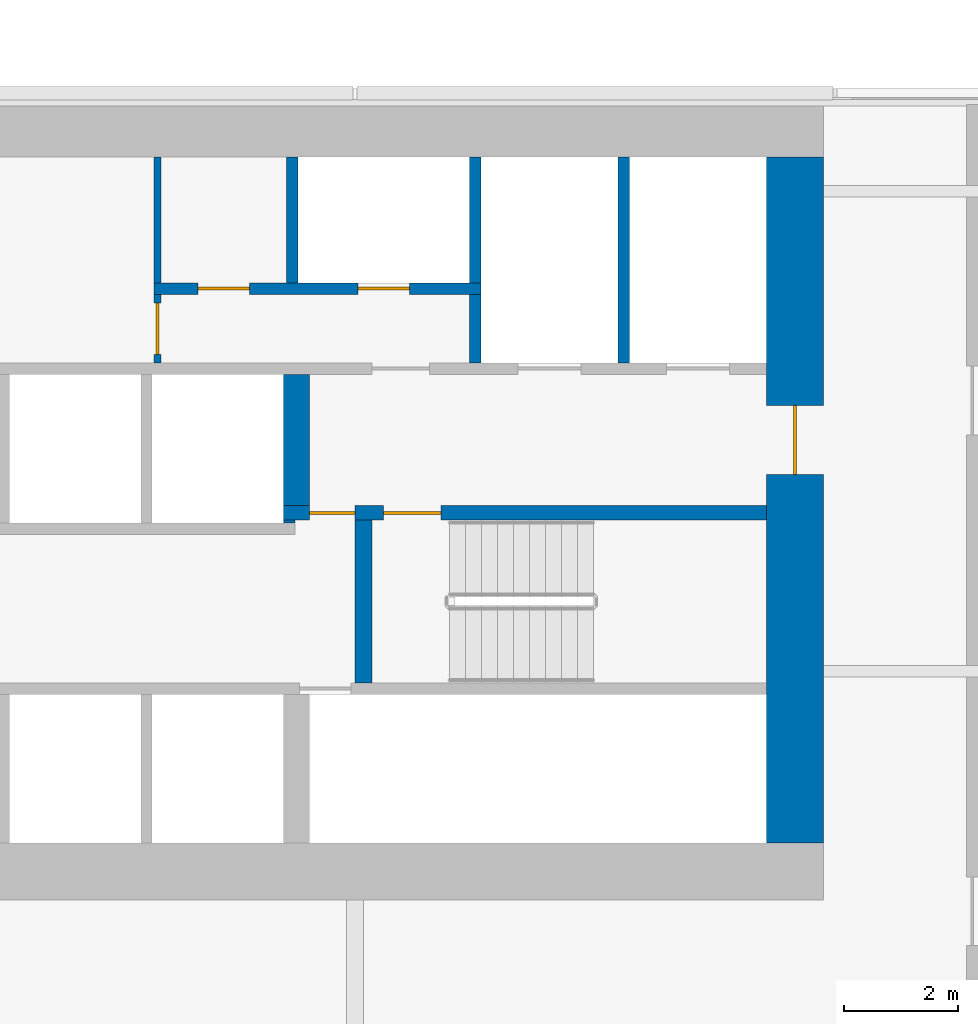
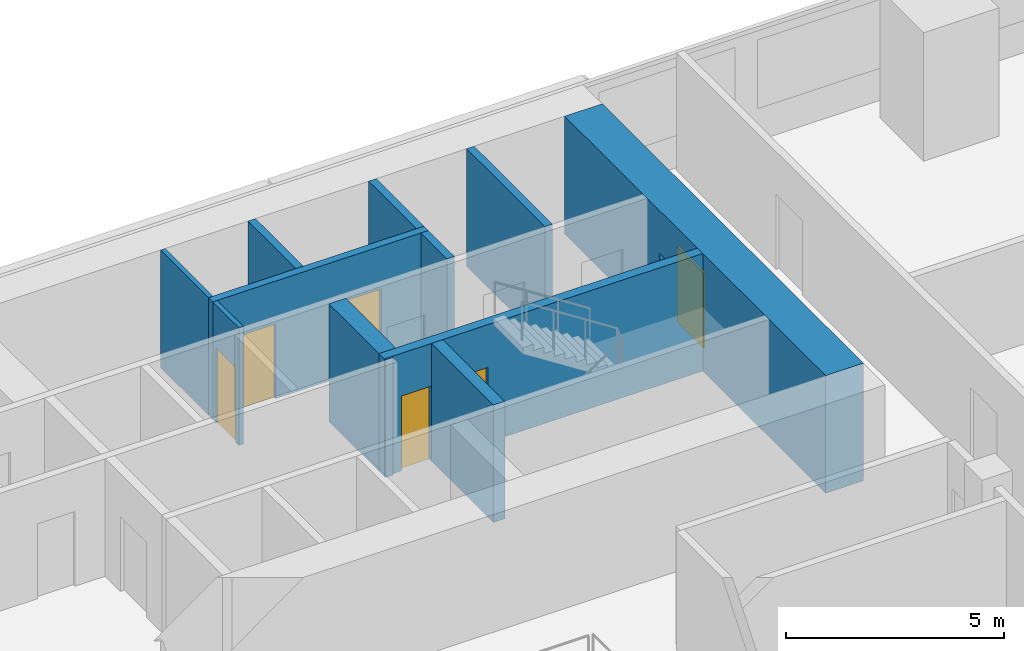
# One storey, part 22 of 26: 12 walls, 6 doors, 6 openings.
"""IFC4 building model written with IfcOpenShell, lengths in metres."""

from ifc_helpers import new_model, si_unit, direction, frame, frame_2d, origin, place, context, subcontext, project, spatial, rectangle, extrude, material, layer, layer_set, type_object, element, fill, save


model = new_model("IFC4")

# Units and contexts
model_context = context("Model", 3, precision=1e-05, world=origin(), true_north=direction((0.0, 1.0)))
body_context = subcontext(model_context, "Body", "Model", "MODEL_VIEW")
ifc_project = project(units=[si_unit("LENGTHUNIT", "METRE"), si_unit("AREAUNIT", "SQUARE_METRE"), si_unit("VOLUMEUNIT", "CUBIC_METRE"), si_unit("PLANEANGLEUNIT", "RADIAN"), si_unit("MASSUNIT", "GRAM", prefix="KILO")], contexts=[model_context])

# Site, building, storey
site_placement = place(None, origin())
site = spatial("IfcSite", under=ifc_project, at=site_placement, CompositionType="ELEMENT")
building_placement = place(site_placement, origin())
building = spatial("IfcBuilding", under=site, at=building_placement, Name="Saffron Gate Tower", CompositionType="ELEMENT")
storey_placement = place(building_placement, frame((0.0, 0.0, 138.449951171875)))
storey = spatial("IfcBuildingStorey", under=building, at=storey_placement, Name="L33", CompositionType="ELEMENT", Elevation=138.449951171875)

# Wall, opening, door
ifc_material_1 = material(Name="Concrete C70", Category="concrete")
ifc_layer_1 = layer(ifc_material_1, 1.0)
ifc_layer_set_1 = layer_set([ifc_layer_1], Name="CW12 RC core wall 1000 C70")
wall_type_1 = type_object("IfcWallType", Name="CW12 RC core wall 1000 C70", PredefinedType="SOLIDWALL", material=ifc_layer_set_1)
wall_1_placement = place(storey_placement, frame((107.89990234375, 62.39990234375, 0.0), z_axis=(0.0, 0.0, 1.0), x_axis=(0.0, 1.0, 0.0)))
wall_1 = element("IfcWall", 1, at=wall_1_placement, inside=storey, type_object=wall_type_1, Name="Wall CW12-L33-4", PredefinedType="SOLIDWALL", context=body_context, shape_type="SweptSolid", body=[
    extrude(rectangle(XDim=12.0, YDim=1.0, at=frame_2d((6.0, 0.0))), origin(), (0.0, 0.0, 1.0), 3.300048828125),
])
opening_1_placement = place(wall_1_placement, frame((6.449951171875, 0.0, 0.0)))
opening_1 = element("IfcOpeningElement", 2, at=opening_1_placement, cuts=wall_1, Name="Opening CR-08", PredefinedType="OPENING", context=body_context, shape_type="SweptSolid", body=[
    extrude(rectangle(XDim=1.199951171875, YDim=2.10009765625, at=frame_2d((0.60009765625, 1.050048828125))), frame((0.0, 0.510009765625, 0.0), z_axis=(0.0, -1.0, 0.0), x_axis=(1.0, 0.0, 0.0)), (0.0, 0.0, 1.0), 1.02001953125),
])
ifc_material_2 = material(Name="Steel fire door set", Category="steel")
door_type_1 = type_object("IfcDoorType", Name="CD7 Core entrance door 1200x2100 EI 120", OperationType="NOTDEFINED", PredefinedType="DOOR", material=ifc_material_2)
door_1_placement = place(opening_1_placement, origin())
door_1 = element("IfcDoor", 3, at=door_1_placement, inside=storey, type_object=door_type_1, Name="DOOR CR-08", OperationType="SINGLE_SWING_RIGHT", OverallHeight=2.10009765625, OverallWidth=1.199951171875, PredefinedType="DOOR", context=body_context, shape_type="SweptSolid", body=[
    extrude(rectangle(XDim=1.199951171875, YDim=2.10009765625, at=frame_2d((0.60009765625, 1.050048828125))), frame((0.0, 0.02490234375, 0.0), z_axis=(0.0, -1.0, 0.0), x_axis=(1.0, 0.0, 0.0)), (0.0, 0.0, 1.0), 0.050048828125),
])
fill(opening_1, door_1)

# Wall, openings, doors
ifc_layer_2 = layer(ifc_material_1, 0.25)
ifc_layer_set_2 = layer_set([ifc_layer_2], Name="CW2 RC core wall 250 C70")
wall_type_2 = type_object("IfcWallType", Name="CW2 RC core wall 250 C70", PredefinedType="SOLIDWALL", material=ifc_layer_set_2)
wall_2_placement = place(storey_placement, frame((98.949951171875, 68.175048828125, 0.0), z_axis=(0.0, 0.0, 1.0), x_axis=(1.0, 0.0, 0.0)))
wall_2 = element("IfcWall", 4, at=wall_2_placement, inside=storey, type_object=wall_type_2, Name="Wall CW2-L33-30", PredefinedType="SOLIDWALL", context=body_context, shape_type="SweptSolid", body=[
    extrude(rectangle(XDim=8.449951171875, YDim=0.25, at=frame_2d((4.22509765625, 0.0))), origin(), (0.0, 0.0, 1.0), 3.300048828125),
])
opening_2_placement = place(wall_2_placement, frame((0.449951171875, 0.0, 0.0)))
opening_2 = element("IfcOpeningElement", 5, at=opening_2_placement, cuts=wall_2, Name="Opening CR-05", PredefinedType="OPENING", context=body_context, shape_type="SweptSolid", body=[
    extrude(rectangle(XDim=0.800048828125, YDim=2.10009765625, at=frame_2d((0.39990234375, 1.050048828125))), frame((0.0, 0.135009765625, 0.0), z_axis=(0.0, -1.0, 0.0), x_axis=(1.0, 0.0, 0.0)), (0.0, 0.0, 1.0), 0.27001953125),
])
opening_3_placement = place(wall_2_placement, frame((1.75, 0.0, 0.0)))
opening_3 = element("IfcOpeningElement", 6, at=opening_3_placement, cuts=wall_2, Name="Opening CR-16", PredefinedType="OPENING", context=body_context, shape_type="SweptSolid", body=[
    extrude(rectangle(XDim=1.0, YDim=2.10009765625, at=frame_2d((0.5, 1.050048828125))), frame((0.0, 0.135009765625, 0.0), z_axis=(0.0, -1.0, 0.0), x_axis=(1.0, 0.0, 0.0)), (0.0, 0.0, 1.0), 0.27001953125),
])
door_type_2 = type_object("IfcDoorType", Name="CD5 Stair door 1000x2100 EI 120", OperationType="NOTDEFINED", PredefinedType="DOOR", material=ifc_material_2)
door_2_placement = place(opening_3_placement, origin())
door_2 = element("IfcDoor", 7, at=door_2_placement, inside=storey, type_object=door_type_2, Name="DOOR CR-16", OperationType="SINGLE_SWING_RIGHT", OverallHeight=2.10009765625, OverallWidth=1.0, PredefinedType="DOOR", context=body_context, shape_type="SweptSolid", body=[
    extrude(rectangle(XDim=1.0, YDim=2.10009765625, at=frame_2d((0.5, 1.050048828125))), frame((0.0, 0.02490234375, 0.0), z_axis=(0.0, -1.0, 0.0), x_axis=(1.0, 0.0, 0.0)), (0.0, 0.0, 1.0), 0.050048828125),
])
fill(opening_3, door_2)
door_type_3 = type_object("IfcDoorType", Name="CD6 Lobby door 800x2100 EI 120", OperationType="NOTDEFINED", PredefinedType="DOOR", material=ifc_material_2)
door_3_placement = place(opening_2_placement, origin())
door_3 = element("IfcDoor", 8, at=door_3_placement, inside=storey, type_object=door_type_3, Name="DOOR CR-05", OperationType="SINGLE_SWING_LEFT", OverallHeight=2.10009765625, OverallWidth=0.800048828125, PredefinedType="DOOR", context=body_context, shape_type="SweptSolid", body=[
    extrude(rectangle(XDim=0.800048828125, YDim=2.10009765625, at=frame_2d((0.39990234375, 1.050048828125))), frame((0.0, 0.02490234375, 0.0), z_axis=(0.0, -1.0, 0.0), x_axis=(1.0, 0.0, 0.0)), (0.0, 0.0, 1.0), 0.050048828125),
])
fill(opening_2, door_3)

# Walls
ifc_layer_3 = layer(ifc_material_1, 0.199951171875)
ifc_layer_set_3 = layer_set([ifc_layer_3], Name="CW3 RC core wall 200 C70")
wall_type_3 = type_object("IfcWallType", Name="CW3 RC core wall 200 C70", PredefinedType="SOLIDWALL", material=ifc_layer_set_3)
wall_3_placement = place(storey_placement, frame((102.300048828125, 70.800048828125, 0.0), z_axis=(0.0, 0.0, 1.0), x_axis=(0.0, 1.0, 0.0)))
element("IfcWall", 9, at=wall_3_placement, inside=storey, type_object=wall_type_3, Name="Wall CW3-L33-39", PredefinedType="SOLIDWALL", context=body_context, shape_type="SweptSolid", body=[
    extrude(rectangle(XDim=1.199951171875, YDim=0.199951171875, at=frame_2d((0.60009765625, 0.0))), origin(), (0.0, 0.0, 1.0), 3.300048828125),
])
wall_4_placement = place(storey_placement, frame((104.89990234375, 70.800048828125, 0.0), z_axis=(0.0, 0.0, 1.0), x_axis=(0.0, 1.0, 0.0)))
element("IfcWall", 10, at=wall_4_placement, inside=storey, type_object=wall_type_3, Name="Wall CW3-L33-40", PredefinedType="SOLIDWALL", context=body_context, shape_type="SweptSolid", body=[
    extrude(rectangle(XDim=3.599853515625, YDim=0.199951171875, at=frame_2d((1.7998046875, 0.0))), origin(), (0.0, 0.0, 1.0), 3.300048828125),
])

# Wall, openings, doors
wall_5_placement = place(storey_placement, frame((96.679931640625, 72.10009765625, 0.0), z_axis=(0.0, 0.0, 1.0), x_axis=(1.0, 0.0, 0.0)))
wall_5 = element("IfcWall", 11, at=wall_5_placement, inside=storey, type_object=wall_type_3, Name="Wall CW3-L33-42", PredefinedType="SOLIDWALL", context=body_context, shape_type="SweptSolid", body=[
    extrude(rectangle(XDim=5.719970703125, YDim=0.199951171875, at=frame_2d((2.85986328125, 0.0))), origin(), (0.0, 0.0, 1.0), 3.300048828125),
])
opening_4_placement = place(wall_5_placement, frame((0.77001953125, 0.0, 0.0)))
opening_4 = element("IfcOpeningElement", 12, at=opening_4_placement, cuts=wall_5, Name="Opening CR-50", PredefinedType="OPENING", context=body_context, shape_type="SweptSolid", body=[
    extrude(rectangle(XDim=0.89990234375, YDim=2.10009765625, at=frame_2d((0.449951171875, 1.050048828125))), frame((0.0, 0.10986328125, 0.0), z_axis=(0.0, -1.0, 0.0), x_axis=(1.0, 0.0, 0.0)), (0.0, 0.0, 1.0), 0.219970703125),
])
opening_5_placement = place(wall_5_placement, frame((3.570068359375, 0.0, 0.0)))
opening_5 = element("IfcOpeningElement", 13, at=opening_5_placement, cuts=wall_5, Name="Opening CR-70", PredefinedType="OPENING", context=body_context, shape_type="SweptSolid", body=[
    extrude(rectangle(XDim=0.89990234375, YDim=2.10009765625, at=frame_2d((0.449951171875, 1.050048828125))), frame((0.0, 0.10986328125, 0.0), z_axis=(0.0, -1.0, 0.0), x_axis=(1.0, 0.0, 0.0)), (0.0, 0.0, 1.0), 0.219970703125),
])
door_type_4 = type_object("IfcDoorType", Name="CD2 Riser door 900x2100 EI 60", OperationType="NOTDEFINED", PredefinedType="DOOR", material=ifc_material_2)
door_4_placement = place(opening_5_placement, origin())
door_4 = element("IfcDoor", 14, at=door_4_placement, inside=storey, type_object=door_type_4, Name="DOOR CR-70", OperationType="SINGLE_SWING_LEFT", OverallHeight=2.10009765625, OverallWidth=0.89990234375, PredefinedType="DOOR", context=body_context, shape_type="SweptSolid", body=[
    extrude(rectangle(XDim=0.89990234375, YDim=2.10009765625, at=frame_2d((0.449951171875, 1.050048828125))), frame((0.0, 0.02490234375, 0.0), z_axis=(0.0, -1.0, 0.0), x_axis=(1.0, 0.0, 0.0)), (0.0, 0.0, 1.0), 0.050048828125),
])
fill(opening_5, door_4)
door_type_5 = type_object("IfcDoorType", Name="CD9 Room door 900x2100 EI 60", OperationType="NOTDEFINED", PredefinedType="DOOR", material=ifc_material_2)
door_5_placement = place(opening_4_placement, origin())
door_5 = element("IfcDoor", 15, at=door_5_placement, inside=storey, type_object=door_type_5, Name="DOOR CR-50", OperationType="SINGLE_SWING_LEFT", OverallHeight=2.10009765625, OverallWidth=0.89990234375, PredefinedType="DOOR", context=body_context, shape_type="SweptSolid", body=[
    extrude(rectangle(XDim=0.89990234375, YDim=2.10009765625, at=frame_2d((0.449951171875, 1.050048828125))), frame((0.0, 0.02490234375, 0.0), z_axis=(0.0, -1.0, 0.0), x_axis=(1.0, 0.0, 0.0)), (0.0, 0.0, 1.0), 0.050048828125),
])
fill(opening_4, door_5)

# Walls
for number, where, z_axis, x_axis, name in (
    (16, (99.10009765625, 72.199951171875, 0.0), (0.0, 0.0, 1.0), (0.0, 1.0, 0.0), "Wall CW3-L33-49"),
    (17, (102.300048828125, 72.199951171875, 0.0), (0.0, 0.0, 1.0), (0.0, 1.0, 0.0), "Wall CW3-L33-50"),
):
    element("IfcWall", number, at=place(storey_placement, frame(where, z_axis=z_axis, x_axis=x_axis)), inside=storey, type_object=wall_type_3, Name=name, PredefinedType="SOLIDWALL", context=body_context, shape_type="SweptSolid", body=[
        extrude(rectangle(XDim=2.199951171875, YDim=0.199951171875, at=frame_2d((1.10009765625, 0.0))), origin(), (0.0, 0.0, 1.0), 3.300048828125),
    ])
ifc_layer_4 = layer(ifc_material_1, 0.449951171875)
ifc_layer_set_4 = layer_set([ifc_layer_4], Name="CW4 RC core wall 450 C70")
wall_type_4 = type_object("IfcWallType", Name="CW4 RC core wall 450 C70", PredefinedType="SOLIDWALL", material=ifc_layer_set_4)
wall_6_placement = place(storey_placement, frame((99.175048828125, 68.300048828125, 0.0), z_axis=(0.0, 0.0, 1.0), x_axis=(0.0, 1.0, 0.0)))
element("IfcWall", 18, at=wall_6_placement, inside=storey, type_object=wall_type_4, Name="Wall CW4-L33-32", PredefinedType="SOLIDWALL", context=body_context, shape_type="SweptSolid", body=[
    extrude(rectangle(XDim=2.300048828125, YDim=0.449951171875, at=frame_2d((1.14990234375, 0.0))), origin(), (0.0, 0.0, 1.0), 3.300048828125),
])
ifc_layer_5 = layer(ifc_material_1, 0.300048828125)
ifc_layer_set_5 = layer_set([ifc_layer_5], Name="CW5 RC core wall 300 C70")
wall_type_5 = type_object("IfcWallType", Name="CW5 RC core wall 300 C70", PredefinedType="SOLIDWALL", material=ifc_layer_set_5)
wall_7_placement = place(storey_placement, frame((100.35009765625, 65.199951171875, 0.0), z_axis=(0.0, 0.0, 1.0), x_axis=(0.0, 1.0, 0.0)))
element("IfcWall", 19, at=wall_7_placement, inside=storey, type_object=wall_type_5, Name="Wall CW5-L33-19", PredefinedType="SOLIDWALL", context=body_context, shape_type="SweptSolid", body=[
    extrude(rectangle(XDim=2.85009765625, YDim=0.300048828125, at=frame_2d((1.425048828125, 0.0))), origin(), (0.0, 0.0, 1.0), 3.300048828125),
])
ifc_layer_6 = layer(ifc_material_1, 0.050048828125)
ifc_layer_set_6 = layer_set([ifc_layer_6], Name="CW6 RC core wall 50 C70")
wall_type_6 = type_object("IfcWallType", Name="CW6 RC core wall 50 C70", PredefinedType="SOLIDWALL", material=ifc_layer_set_6)
wall_8_placement = place(storey_placement, frame((98.949951171875, 68.02490234375, 0.0), z_axis=(0.0, 0.0, 1.0), x_axis=(1.0, 0.0, 0.0)))
element("IfcWall", 20, at=wall_8_placement, inside=storey, type_object=wall_type_6, Name="Wall CW6-L33-28", PredefinedType="SOLIDWALL", context=body_context, shape_type="SweptSolid", body=[
    extrude(rectangle(XDim=0.199951171875, YDim=0.050048828125, at=frame_2d((0.10009765625, 0.0))), origin(), (0.0, 0.0, 1.0), 3.300048828125),
])

# Wall, opening, door
ifc_material_3 = material(Name="Gypsum board partition on steel studs", Category="steel")
ifc_layer_7 = layer(ifc_material_3, 0.1201171875)
ifc_layer_set_7 = layer_set([ifc_layer_7], Name="CW8 Core partition 120")
wall_type_7 = type_object("IfcWallType", Name="CW8 Core partition 120", PredefinedType="PARTITIONING", material=ifc_layer_set_7)
wall_9_placement = place(storey_placement, frame((96.739990234375, 70.800048828125, 0.0), z_axis=(0.0, 0.0, 1.0), x_axis=(0.0, 1.0, 0.0)))
wall_9 = element("IfcWall", 21, at=wall_9_placement, inside=storey, type_object=wall_type_7, Name="Wall CW8-L33-38", PredefinedType="PARTITIONING", context=body_context, shape_type="SweptSolid", body=[
    extrude(rectangle(XDim=1.199951171875, YDim=0.1201171875, at=frame_2d((0.60009765625, 0.0))), origin(), (0.0, 0.0, 1.0), 3.300048828125),
])
opening_6_placement = place(wall_9_placement, frame((0.14990234375, 0.0, 0.0)))
opening_6 = element("IfcOpeningElement", 22, at=opening_6_placement, cuts=wall_9, Name="Opening CR-54", PredefinedType="OPENING", context=body_context, shape_type="SweptSolid", body=[
    extrude(rectangle(XDim=0.89990234375, YDim=2.10009765625, at=frame_2d((0.449951171875, 1.050048828125))), frame((0.0, 0.070068359375, 0.0), z_axis=(0.0, -1.0, 0.0), x_axis=(1.0, 0.0, 0.0)), (0.0, 0.0, 1.0), 0.14013671875),
])
door_6_placement = place(opening_6_placement, origin())
door_6 = element("IfcDoor", 23, at=door_6_placement, inside=storey, type_object=door_type_5, Name="DOOR CR-54", OperationType="SINGLE_SWING_LEFT", OverallHeight=2.10009765625, OverallWidth=0.89990234375, PredefinedType="DOOR", context=body_context, shape_type="SweptSolid", body=[
    extrude(rectangle(XDim=0.89990234375, YDim=2.10009765625, at=frame_2d((0.449951171875, 1.050048828125))), frame((0.0, 0.02490234375, 0.0), z_axis=(0.0, -1.0, 0.0), x_axis=(1.0, 0.0, 0.0)), (0.0, 0.0, 1.0), 0.050048828125),
])
fill(opening_6, door_6)

# Wall
wall_10_placement = place(storey_placement, frame((96.739990234375, 72.199951171875, 0.0), z_axis=(0.0, 0.0, 1.0), x_axis=(0.0, 1.0, 0.0)))
element("IfcWall", 24, at=wall_10_placement, inside=storey, type_object=wall_type_7, Name="Wall CW8-L33-48", PredefinedType="PARTITIONING", context=body_context, shape_type="SweptSolid", body=[
    extrude(rectangle(XDim=2.199951171875, YDim=0.1201171875, at=frame_2d((1.10009765625, 0.0))), origin(), (0.0, 0.0, 1.0), 3.300048828125),
])

save(model, "model.ifc")
